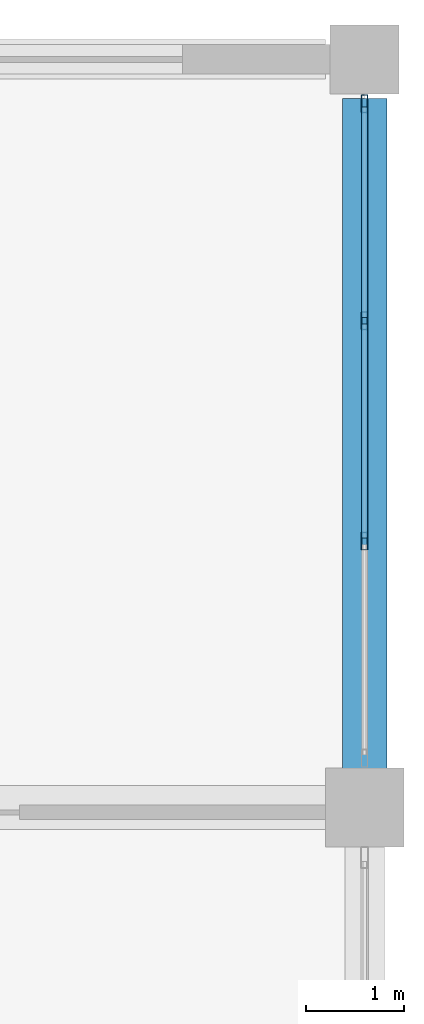
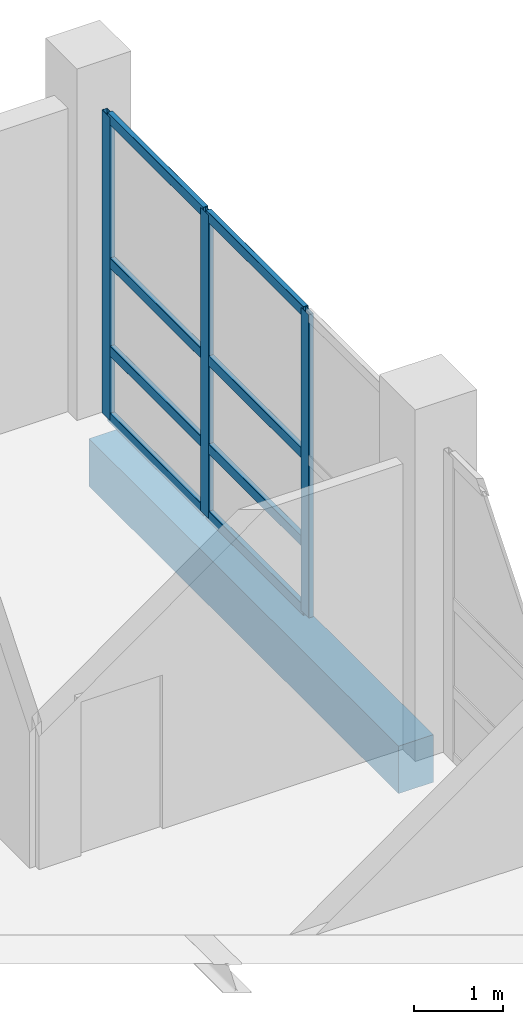
# One storey, part 9 of 18: 11 members, 1 beam, 1 element without a shape of its own.
"""IFC4 building model written with IfcOpenShell, lengths in metres."""

from ifc_helpers import new_model, si_unit, direction, frame, origin, origin_2d, place, context, subcontext, project, spatial, rectangle, hollow_rectangle, extrude, material, material_profile, profile_set, type_object, element, aggregate, save


model = new_model("IFC4")

# Units and contexts
model_context = context("Model", 3, precision=1e-05, world=origin(), true_north=direction((0.0, 1.0)))
body_context = subcontext(model_context, "Body", "Model", "MODEL_VIEW")
ifc_project = project(units=[si_unit("LENGTHUNIT", "METRE"), si_unit("AREAUNIT", "SQUARE_METRE"), si_unit("VOLUMEUNIT", "CUBIC_METRE"), si_unit("PLANEANGLEUNIT", "RADIAN"), si_unit("MASSUNIT", "GRAM", prefix="KILO")], contexts=[model_context])

# Site, building, storey
site_placement = place(None, origin())
site = spatial("IfcSite", under=ifc_project, at=site_placement, CompositionType="ELEMENT")
building_placement = place(site_placement, origin())
building = spatial("IfcBuilding", under=site, at=building_placement, Name="Khelvaren Railside Concert Hall", CompositionType="ELEMENT")
storey_placement = place(building_placement, frame((0.0, 0.0, 24.60009765625)))
storey = spatial("IfcBuildingStorey", under=building, at=storey_placement, Name="L05", CompositionType="ELEMENT", Elevation=24.60009765625)

# Curtain wall, members
ifc_material_1 = material(Name="Double-glazed low-E dark acoustic glass", Category="glass")
curtain_wall_type = type_object("IfcCurtainWallType", Name="CW65", PredefinedType="USERDEFINED", material=ifc_material_1)
curtain_wall_placement = place(storey_placement, origin())
curtain_wall = element("IfcCurtainWall", 1, at=curtain_wall_placement, inside=storey, type_object=curtain_wall_type, Name="Unitised Curtain Wall CW-V5-L05-E-106", ObjectType="UNITISED CURTAIN WALL", PredefinedType="USERDEFINED")
ifc_material_2 = material(Name="Anodised architectural aluminium 6063-T6", Category="aluminium")
ifc_material_profile_1 = material_profile(ifc_material_2, hollow_rectangle(XDim=0.06494140625, YDim=0.179931640625, WallThickness=0.00390625, InnerFilletRadius=0.001953125, OuterFilletRadius=0.00390625, at=origin_2d()), Name="CWM 65x180x4")
ifc_profile_set_1 = profile_set([ifc_material_profile_1], Name="Anodised architectural aluminium 6063-T6")
member_type_1 = type_object("IfcMemberType", Name="CWM63", PredefinedType="MULLION", material=ifc_profile_set_1)
member_1_placement = place(storey_placement, frame((184.0, 113.550048828125, 0.0), z_axis=(0.0, 0.0, 1.0), x_axis=(1.0, 0.0, 0.0)))
member_1 = element("IfcMember", 2, at=member_1_placement, type_object=member_type_1, Name="CW65 mullion 1", PredefinedType="MULLION", context=body_context, shape_type="SweptSolid", body=[
    extrude(hollow_rectangle(XDim=0.06494140625, YDim=0.179931640625, WallThickness=0.00390625, InnerFilletRadius=0.001953125, OuterFilletRadius=0.00390625, at=origin_2d()), origin(), (0.0, 0.0, 1.0), 4.139892578125),
])
member_2_placement = place(storey_placement, frame((184.0, 111.34423828125, 0.0), z_axis=(0.0, 0.0, 1.0), x_axis=(1.0, 0.0, 0.0)))
member_2 = element("IfcMember", 3, at=member_2_placement, type_object=member_type_1, Name="CW65 mullion 2", PredefinedType="MULLION", context=body_context, shape_type="SweptSolid", body=[
    extrude(hollow_rectangle(XDim=0.06494140625, YDim=0.179931640625, WallThickness=0.00390625, InnerFilletRadius=0.001953125, OuterFilletRadius=0.00390625, at=origin_2d()), origin(), (0.0, 0.0, 1.0), 4.139892578125),
])
member_3_placement = place(storey_placement, frame((184.0, 109.105712890625, 0.0), z_axis=(0.0, 0.0, 1.0), x_axis=(1.0, 0.0, 0.0)))
member_3 = element("IfcMember", 4, at=member_3_placement, type_object=member_type_1, Name="CW65 mullion 3", PredefinedType="MULLION", context=body_context, shape_type="SweptSolid", body=[
    extrude(hollow_rectangle(XDim=0.06494140625, YDim=0.179931640625, WallThickness=0.00390625, InnerFilletRadius=0.001953125, OuterFilletRadius=0.00390625, at=origin_2d()), origin(), (0.0, 0.0, 1.0), 4.139892578125),
])
ifc_material_profile_2 = material_profile(ifc_material_2, hollow_rectangle(XDim=0.06494140625, YDim=0.139892578125, WallThickness=0.00390625, InnerFilletRadius=0.001953125, OuterFilletRadius=0.00390625, at=origin_2d()), Name="CWT 65x140x4")
ifc_profile_set_2 = profile_set([ifc_material_profile_2], Name="Anodised architectural aluminium 6063-T6")
member_type_2 = type_object("IfcMemberType", Name="CWT72", PredefinedType="USERDEFINED", material=ifc_profile_set_2)
member_4_placement = place(storey_placement, frame((184.0, 113.517578125, 0.032470703125), z_axis=(0.0, -1.0, 0.0), x_axis=(1.0, 0.0, 0.0)))
member_4 = element("IfcMember", 5, at=member_4_placement, type_object=member_type_2, Name="CW65 transom 1.1", ObjectType="TRANSOM", PredefinedType="USERDEFINED", context=body_context, shape_type="SweptSolid", body=[
    extrude(hollow_rectangle(XDim=0.06494140625, YDim=0.139892578125, WallThickness=0.00390625, InnerFilletRadius=0.001953125, OuterFilletRadius=0.00390625, at=origin_2d()), origin(), (0.0, 0.0, 1.0), 2.140869140625),
])
member_5_placement = place(storey_placement, frame((184.0, 113.517578125, 0.949951171875), z_axis=(0.0, -1.0, 0.0), x_axis=(1.0, 0.0, 0.0)))
member_5 = element("IfcMember", 6, at=member_5_placement, type_object=member_type_2, Name="CW65 transom 1.2", ObjectType="TRANSOM", PredefinedType="USERDEFINED", context=body_context, shape_type="SweptSolid", body=[
    extrude(hollow_rectangle(XDim=0.06494140625, YDim=0.139892578125, WallThickness=0.00390625, InnerFilletRadius=0.001953125, OuterFilletRadius=0.00390625, at=origin_2d()), origin(), (0.0, 0.0, 1.0), 2.140869140625),
])
member_6_placement = place(storey_placement, frame((184.0, 113.517578125, 2.152587890625), z_axis=(0.0, -1.0, 0.0), x_axis=(1.0, 0.0, 0.0)))
member_6 = element("IfcMember", 7, at=member_6_placement, type_object=member_type_2, Name="CW65 transom 1.3", ObjectType="TRANSOM", PredefinedType="USERDEFINED", context=body_context, shape_type="SweptSolid", body=[
    extrude(hollow_rectangle(XDim=0.06494140625, YDim=0.139892578125, WallThickness=0.00390625, InnerFilletRadius=0.001953125, OuterFilletRadius=0.00390625, at=origin_2d()), origin(), (0.0, 0.0, 1.0), 2.140869140625),
])
member_7_placement = place(storey_placement, frame((184.0, 113.517578125, 4.107421875), z_axis=(0.0, -1.0, 0.0), x_axis=(1.0, 0.0, 0.0)))
member_7 = element("IfcMember", 8, at=member_7_placement, type_object=member_type_2, Name="CW65 transom 1.4", ObjectType="TRANSOM", PredefinedType="USERDEFINED", context=body_context, shape_type="SweptSolid", body=[
    extrude(hollow_rectangle(XDim=0.06494140625, YDim=0.139892578125, WallThickness=0.00390625, InnerFilletRadius=0.001953125, OuterFilletRadius=0.00390625, at=origin_2d()), origin(), (0.0, 0.0, 1.0), 2.140869140625),
])
member_8_placement = place(storey_placement, frame((184.0, 111.311767578125, 0.032470703125), z_axis=(0.0, -1.0, 0.0), x_axis=(1.0, 0.0, 0.0)))
member_8 = element("IfcMember", 9, at=member_8_placement, type_object=member_type_2, Name="CW65 transom 2.1", ObjectType="TRANSOM", PredefinedType="USERDEFINED", context=body_context, shape_type="SweptSolid", body=[
    extrude(hollow_rectangle(XDim=0.06494140625, YDim=0.139892578125, WallThickness=0.00390625, InnerFilletRadius=0.001953125, OuterFilletRadius=0.00390625, at=origin_2d()), origin(), (0.0, 0.0, 1.0), 2.17333984375),
])
member_9_placement = place(storey_placement, frame((184.0, 111.311767578125, 0.949951171875), z_axis=(0.0, -1.0, 0.0), x_axis=(1.0, 0.0, 0.0)))
member_9 = element("IfcMember", 10, at=member_9_placement, type_object=member_type_2, Name="CW65 transom 2.2", ObjectType="TRANSOM", PredefinedType="USERDEFINED", context=body_context, shape_type="SweptSolid", body=[
    extrude(hollow_rectangle(XDim=0.06494140625, YDim=0.139892578125, WallThickness=0.00390625, InnerFilletRadius=0.001953125, OuterFilletRadius=0.00390625, at=origin_2d()), origin(), (0.0, 0.0, 1.0), 2.17333984375),
])
member_10_placement = place(storey_placement, frame((184.0, 111.311767578125, 2.152587890625), z_axis=(0.0, -1.0, 0.0), x_axis=(1.0, 0.0, 0.0)))
member_10 = element("IfcMember", 11, at=member_10_placement, type_object=member_type_2, Name="CW65 transom 2.3", ObjectType="TRANSOM", PredefinedType="USERDEFINED", context=body_context, shape_type="SweptSolid", body=[
    extrude(hollow_rectangle(XDim=0.06494140625, YDim=0.139892578125, WallThickness=0.00390625, InnerFilletRadius=0.001953125, OuterFilletRadius=0.00390625, at=origin_2d()), origin(), (0.0, 0.0, 1.0), 2.17333984375),
])
member_11_placement = place(storey_placement, frame((184.0, 111.311767578125, 4.107421875), z_axis=(0.0, -1.0, 0.0), x_axis=(1.0, 0.0, 0.0)))
member_11 = element("IfcMember", 12, at=member_11_placement, type_object=member_type_2, Name="CW65 transom 2.4", ObjectType="TRANSOM", PredefinedType="USERDEFINED", context=body_context, shape_type="SweptSolid", body=[
    extrude(hollow_rectangle(XDim=0.06494140625, YDim=0.139892578125, WallThickness=0.00390625, InnerFilletRadius=0.001953125, OuterFilletRadius=0.00390625, at=origin_2d()), origin(), (0.0, 0.0, 1.0), 2.17333984375),
])
aggregate(curtain_wall, [member_1, member_2, member_3, member_4, member_5, member_6, member_7, member_8, member_9, member_10, member_11])

# Beam
ifc_material_3 = material(Name="Concrete C40/50", Category="concrete")
ifc_material_profile_3 = material_profile(ifc_material_3, rectangle(XDim=0.449951171875, YDim=0.64990234375, at=origin_2d()), Name="RCB 450x650")
ifc_profile_set_3 = profile_set([ifc_material_profile_3], Name="Concrete C40/50")
beam_type = type_object("IfcBeamType", Name="SP34", PredefinedType="SPANDREL", material=ifc_profile_set_3)
beam_placement = place(storey_placement, frame((184.0, 106.673095703125, -0.585205078125), z_axis=(0.0, 1.0, 0.0), x_axis=(-1.0, 0.0, 0.0)))
element("IfcBeam", 13, at=beam_placement, inside=storey, type_object=beam_type, Name="V5 L05 Spandrel Y8.4", PredefinedType="SPANDREL", context=body_context, shape_type="SweptSolid", body=[
    extrude(rectangle(XDim=0.449951171875, YDim=0.64990234375, at=origin_2d()), origin(), (0.0, 0.0, 1.0), 6.927001953125),
])

save(model, "model.ifc")
